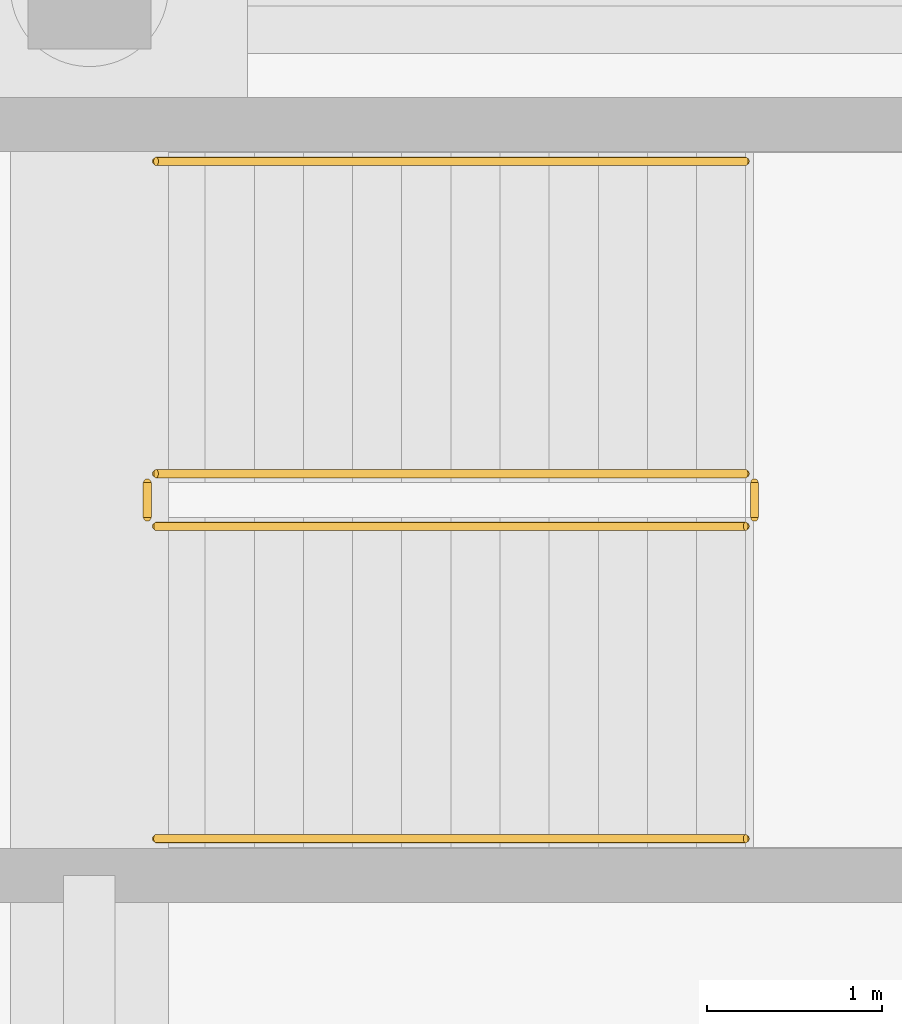
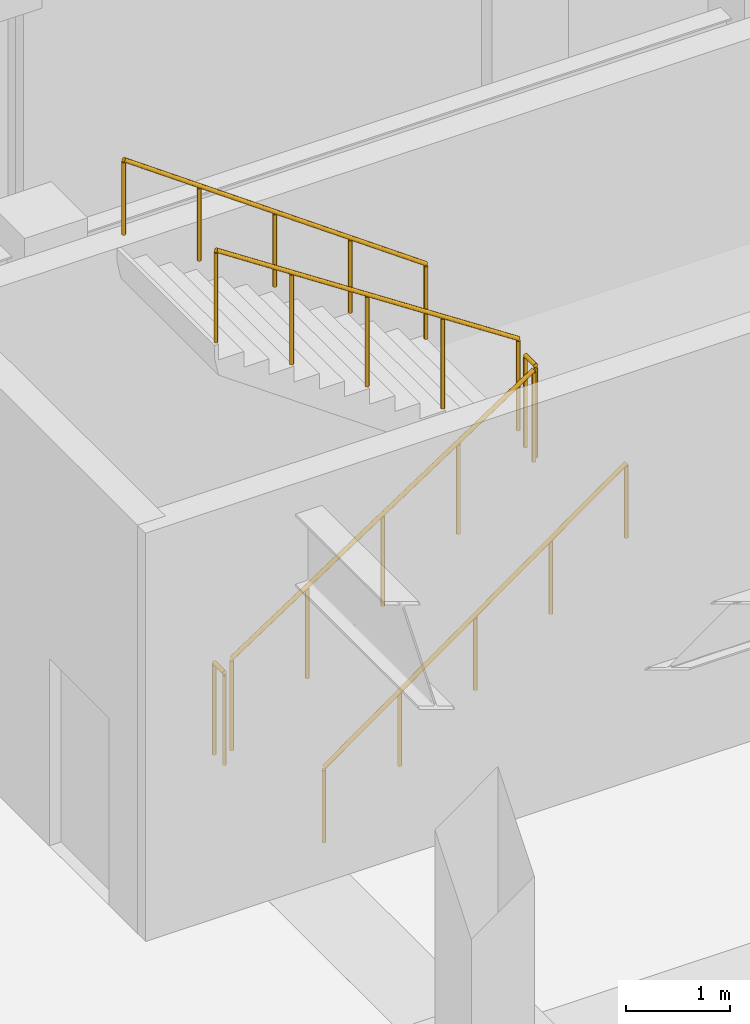
# One storey, part 41 of 48: 6 railings.
"""IFC4 building model written with IfcOpenShell, lengths in metres."""

from ifc_helpers import new_model, si_unit, direction, frame, origin, origin_2d, place, context, subcontext, project, spatial, circle, extrude, material, type_object, element, save


model = new_model("IFC4")

# Units and contexts
model_context = context("Model", 3, precision=1e-05, world=origin(), true_north=direction((0.0, 1.0)))
body_context = subcontext(model_context, "Body", "Model", "MODEL_VIEW")
ifc_project = project(units=[si_unit("LENGTHUNIT", "METRE"), si_unit("AREAUNIT", "SQUARE_METRE"), si_unit("VOLUMEUNIT", "CUBIC_METRE"), si_unit("PLANEANGLEUNIT", "RADIAN"), si_unit("MASSUNIT", "GRAM", prefix="KILO")], contexts=[model_context])

# Site, building, storey
site_placement = place(None, origin())
site = spatial("IfcSite", under=ifc_project, at=site_placement, CompositionType="ELEMENT")
building_placement = place(site_placement, origin())
building = spatial("IfcBuilding", under=site, at=building_placement, Name="Tlacozan Convention Centre", CompositionType="ELEMENT")
storey_placement = place(building_placement, frame((0.0, 0.0, -4.800048828125)))
storey = spatial("IfcBuildingStorey", under=building, at=storey_placement, Name="B01", CompositionType="ELEMENT", Elevation=-4.800048828125)

# Railings
ifc_material = material(Name="Architectural Painted Galvanised Steel Railing", Category="steel")
railing_type_1 = type_object("IfcRailingType", Name="Stair Wall Handrail 900", PredefinedType="HANDRAIL", material=ifc_material)
railing_1_placement = place(storey_placement, frame((16.3798828125, 52.35009765625, 0.1845703125)))
element("IfcRailing", 1, at=railing_1_placement, inside=storey, type_object=railing_type_1, Name="B01 ST-09 stair handrail 1", PredefinedType="HANDRAIL", context=body_context, shape_type="SweptSolid", body=[
    extrude(circle(Radius=0.02392578125, at=origin_2d()), frame((0.0, 0.0, 0.8759765625), z_axis=(0.813725481382, 0.0, 0.581249379312), x_axis=(0.0, 1.0, 0.0)), (0.0, 0.0, 1.0), 4.12939453125),
    extrude(circle(Radius=0.02099609375, at=origin_2d()), origin(), (0.0, 0.0, 1.0), 0.851806640625),
    extrude(circle(Radius=0.02099609375, at=origin_2d()), frame((0.840087890625, 0.0, 0.60009765625)), (0.0, 0.0, 1.0), 0.851806640625),
    extrude(circle(Radius=0.02099609375, at=origin_2d()), frame((1.68017578125, 0.0, 1.2001953125)), (0.0, 0.0, 1.0), 0.851806640625),
    extrude(circle(Radius=0.02099609375, at=origin_2d()), frame((2.52001953125, 0.0, 1.800048828125)), (0.0, 0.0, 1.0), 0.851806640625),
    extrude(circle(Radius=0.02099609375, at=origin_2d()), frame((3.360107421875, 0.0, 2.400146484375)), (0.0, 0.0, 1.0), 0.851806640625),
])
railing_2_placement = place(storey_placement, frame((19.739990234375, 56.2099609375, 2.584716796875)))
element("IfcRailing", 2, at=railing_2_placement, inside=storey, type_object=railing_type_1, Name="B01 ST-09 stair handrail 2", PredefinedType="HANDRAIL", context=body_context, shape_type="SweptSolid", body=[
    extrude(circle(Radius=0.02392578125, at=origin_2d()), frame((0.0, 0.0, 0.8759765625), z_axis=(-0.813753445783, 0.0, 0.581210228297), x_axis=(0.0, -1.0, 0.0)), (0.0, 0.0, 1.0), 4.129150390625),
    extrude(circle(Radius=0.02099609375, at=origin_2d()), origin(), (0.0, 0.0, 1.0), 0.851806640625),
    extrude(circle(Radius=0.02099609375, at=origin_2d()), frame((-0.840087890625, 0.0, 0.60009765625)), (0.0, 0.0, 1.0), 0.851806640625),
    extrude(circle(Radius=0.02099609375, at=origin_2d()), frame((-1.68017578125, 0.0, 1.199951171875)), (0.0, 0.0, 1.0), 0.851806640625),
    extrude(circle(Radius=0.02099609375, at=origin_2d()), frame((-2.52001953125, 0.0, 1.7998046875)), (0.0, 0.0, 1.0), 0.851806640625),
    extrude(circle(Radius=0.02099609375, at=origin_2d()), frame((-3.360107421875, 0.0, 2.39990234375)), (0.0, 0.0, 1.0), 0.851806640625),
])
railing_type_2 = type_object("IfcRailingType", Name="Stair Well Guardrail 1100", PredefinedType="GUARDRAIL", material=ifc_material)
railing_3_placement = place(storey_placement, frame((16.3798828125, 54.1298828125, 0.1845703125)))
element("IfcRailing", 3, at=railing_3_placement, inside=storey, type_object=railing_type_2, Name="B01 ST-09 stair guard 1", PredefinedType="GUARDRAIL", context=body_context, shape_type="SweptSolid", body=[
    extrude(circle(Radius=0.02392578125, at=origin_2d()), frame((0.0, 0.0, 1.076171875), z_axis=(0.834848600103, 0.0, 0.550479622607), x_axis=(0.0, 1.0, 0.0)), (0.0, 0.0, 1.0), 4.02490234375),
    extrude(circle(Radius=0.02099609375, at=origin_2d()), origin(), (0.0, 0.0, 1.0), 1.052001953125),
    extrude(circle(Radius=0.02099609375, at=origin_2d()), frame((0.840087890625, 0.0, 0.553955078125)), (0.0, 0.0, 1.0), 1.052001953125),
    extrude(circle(Radius=0.02099609375, at=origin_2d()), frame((1.68017578125, 0.0, 1.10791015625)), (0.0, 0.0, 1.0), 1.052001953125),
    extrude(circle(Radius=0.02099609375, at=origin_2d()), frame((2.52001953125, 0.0, 1.66162109375)), (0.0, 0.0, 1.0), 1.052001953125),
    extrude(circle(Radius=0.02099609375, at=origin_2d()), frame((3.360107421875, 0.0, 2.215576171875)), (0.0, 0.0, 1.0), 1.052001953125),
])
railing_4_placement = place(storey_placement, frame((19.7900390625, 54.179931640625, 2.400146484375)))
element("IfcRailing", 4, at=railing_4_placement, inside=storey, type_object=railing_type_2, Name="B01 ST-09 stair guard 2", PredefinedType="GUARDRAIL", context=body_context, shape_type="SweptSolid", body=[
    extrude(circle(Radius=0.02392578125, at=origin_2d()), frame((0.0, 0.0, 1.076171875), z_axis=(0.0, 1.0, 0.0), x_axis=(-1.0, 0.0, 0.0)), (0.0, 0.0, 1.0), 0.199951171875),
    extrude(circle(Radius=0.02099609375, at=origin_2d()), origin(), (0.0, 0.0, 1.0), 1.052001953125),
    extrude(circle(Radius=0.02099609375, at=origin_2d()), frame((0.0, 0.199951171875, 0.0)), (0.0, 0.0, 1.0), 1.052001953125),
])
railing_5_placement = place(storey_placement, frame((19.739990234375, 54.429931640625, 2.584716796875)))
element("IfcRailing", 5, at=railing_5_placement, inside=storey, type_object=railing_type_2, Name="B01 ST-09 stair guard 3", PredefinedType="GUARDRAIL", context=body_context, shape_type="SweptSolid", body=[
    extrude(circle(Radius=0.02392578125, at=origin_2d()), frame((0.0, 0.0, 1.076171875), z_axis=(-0.834876476806, 0.0, 0.550437342915), x_axis=(0.0, -1.0, 0.0)), (0.0, 0.0, 1.0), 4.024658203125),
    extrude(circle(Radius=0.02099609375, at=origin_2d()), origin(), (0.0, 0.0, 1.0), 1.052001953125),
    extrude(circle(Radius=0.02099609375, at=origin_2d()), frame((-0.840087890625, 0.0, 0.5537109375)), (0.0, 0.0, 1.0), 1.052001953125),
    extrude(circle(Radius=0.02099609375, at=origin_2d()), frame((-1.68017578125, 0.0, 1.107666015625)), (0.0, 0.0, 1.0), 1.052001953125),
    extrude(circle(Radius=0.02099609375, at=origin_2d()), frame((-2.52001953125, 0.0, 1.66162109375)), (0.0, 0.0, 1.0), 1.052001953125),
    extrude(circle(Radius=0.02099609375, at=origin_2d()), frame((-3.360107421875, 0.0, 2.21533203125)), (0.0, 0.0, 1.0), 1.052001953125),
])
railing_6_placement = place(storey_placement, frame((16.330078125, 54.179931640625, 0.0)))
element("IfcRailing", 6, at=railing_6_placement, inside=storey, type_object=railing_type_2, Name="B01 ST-09 stair guard 4", PredefinedType="GUARDRAIL", context=body_context, shape_type="SweptSolid", body=[
    extrude(circle(Radius=0.02392578125, at=origin_2d()), frame((0.0, 0.0, 1.076171875), z_axis=(0.0, 1.0, 0.0), x_axis=(-1.0, 0.0, 0.0)), (0.0, 0.0, 1.0), 0.199951171875),
    extrude(circle(Radius=0.02099609375, at=origin_2d()), origin(), (0.0, 0.0, 1.0), 1.052001953125),
    extrude(circle(Radius=0.02099609375, at=origin_2d()), frame((0.0, 0.199951171875, 0.0)), (0.0, 0.0, 1.0), 1.052001953125),
])

save(model, "model.ifc")
